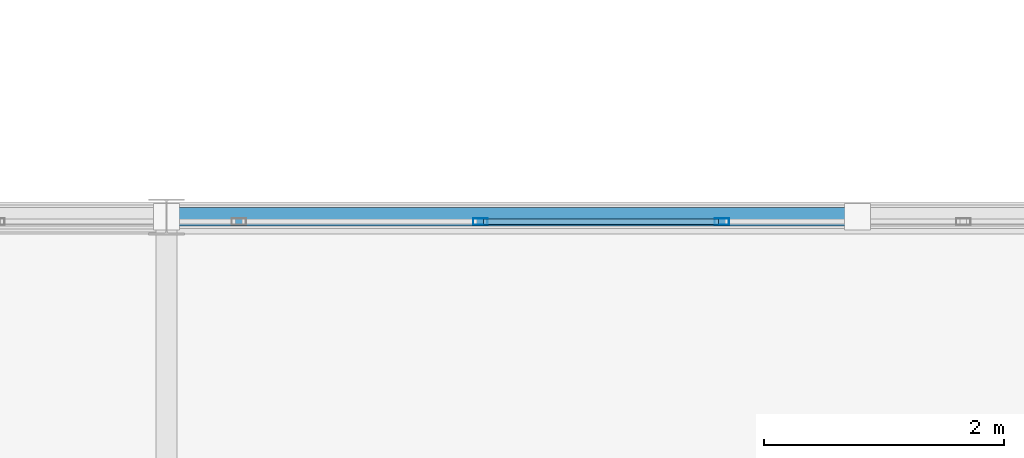
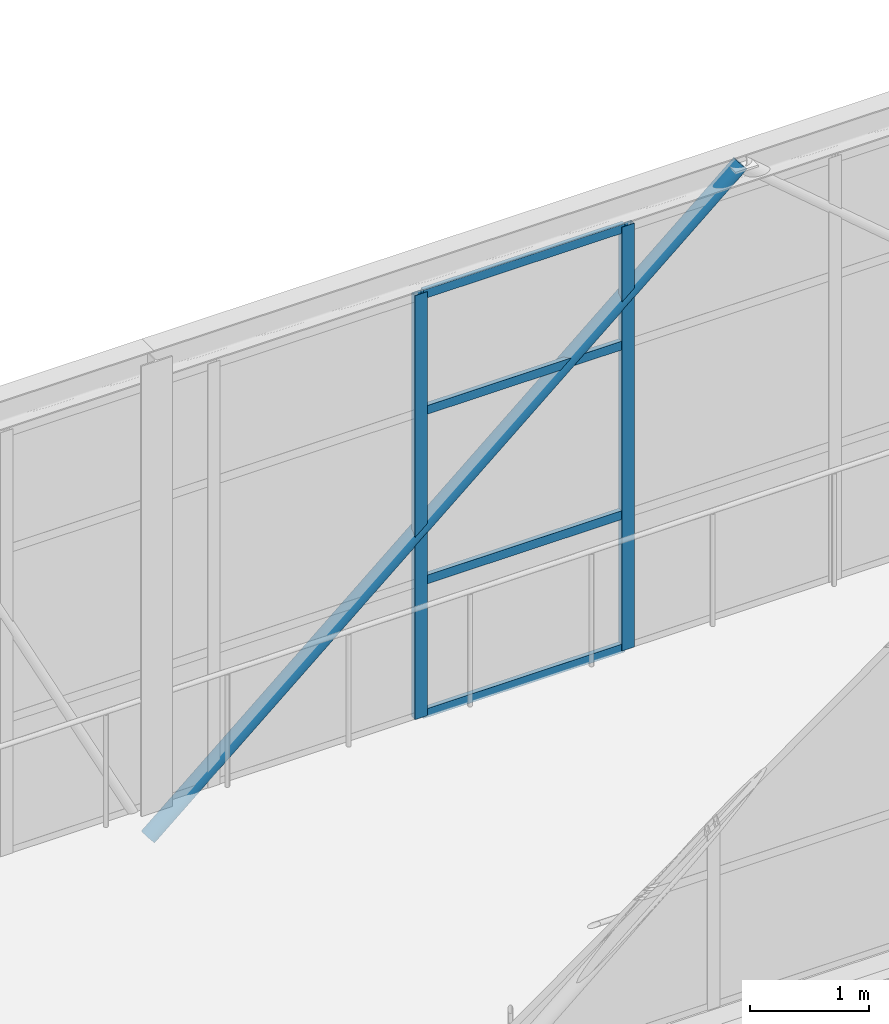
# One storey, part 103 of 248: 7 members, 1 element without a shape of its own.
"""IFC4 building model written with IfcOpenShell, lengths in metres."""

from ifc_helpers import new_model, si_unit, direction, frame, origin, origin_2d, place, context, subcontext, project, spatial, hollow_rectangle, hollow_circle, extrude, material, layer, layer_set, material_profile, profile_set, type_object, element, aggregate, save


model = new_model("IFC4")

# Units and contexts
model_context = context("Model", 3, precision=1e-05, world=origin(), true_north=direction((0.0, 1.0)))
body_context = subcontext(model_context, "Body", "Model", "MODEL_VIEW")
ifc_project = project(units=[si_unit("LENGTHUNIT", "METRE"), si_unit("AREAUNIT", "SQUARE_METRE"), si_unit("VOLUMEUNIT", "CUBIC_METRE"), si_unit("PLANEANGLEUNIT", "RADIAN"), si_unit("MASSUNIT", "GRAM", prefix="KILO")], contexts=[model_context])

# Site, building, storey
site_placement = place(None, origin())
site = spatial("IfcSite", under=ifc_project, at=site_placement, CompositionType="ELEMENT")
building_placement = place(site_placement, origin())
building = spatial("IfcBuilding", under=site, at=building_placement, Name="Canggui Botanical Conservatory", CompositionType="ELEMENT")
storey_placement = place(building_placement, frame((0.0, 0.0, 5.39990234375)))
storey = spatial("IfcBuildingStorey", under=building, at=storey_placement, Name="L02", CompositionType="ELEMENT", Elevation=5.39990234375)

# Curtain wall, members
ifc_material_1 = material(Name="Thermally Broken Aluminium", Category="aluminium")
ifc_layer = layer(ifc_material_1, 0.1201171875, Name="Thermally Broken Aluminium", Category="aluminium")
ifc_layer_set = layer_set([ifc_layer], Name="Thermally Broken Aluminium")
curtain_wall_type = type_object("IfcCurtainWallType", Name="CW-STICK-B", PredefinedType="USERDEFINED", material=ifc_layer_set)
curtain_wall_placement = place(storey_placement, origin())
curtain_wall = element("IfcCurtainWall", 1, at=curtain_wall_placement, inside=storey, type_object=curtain_wall_type, Name="Facade Curtain Wall CW-SB-01-2", ObjectType="STICK GLAZED WALL", PredefinedType="USERDEFINED")
ifc_material_profile_1 = material_profile(ifc_material_1, hollow_rectangle(XDim=0.054931640625, YDim=0.1201171875, WallThickness=0.0029296875, at=origin_2d()), Name="CWM 55x120x3")
ifc_profile_set_1 = profile_set([ifc_material_profile_1], Name="Thermally Broken Aluminium")
member_type_1 = type_object("IfcMemberType", Name="CWM-05", PredefinedType="MULLION", material=ifc_profile_set_1)
member_1_placement = place(storey_placement, frame((121.111328125, 30.9599609375, 0.0), z_axis=(0.0, 0.0, 1.0), x_axis=(0.0, 1.0, 0.0)))
member_1 = element("IfcMember", 2, at=member_1_placement, type_object=member_type_1, Name="CW-05 mullion 28", PredefinedType="MULLION", context=body_context, shape_type="SweptSolid", body=[
    extrude(hollow_rectangle(XDim=0.054931640625, YDim=0.1201171875, WallThickness=0.0029296875, at=origin_2d()), origin(), (0.0, 0.0, 1.0), 4.35009765625),
])
member_2_placement = place(storey_placement, frame((123.120849609375, 30.9599609375, 0.0), z_axis=(0.0, 0.0, 1.0), x_axis=(0.0, 1.0, 0.0)))
member_2 = element("IfcMember", 3, at=member_2_placement, type_object=member_type_1, Name="CW-05 mullion 29", PredefinedType="MULLION", context=body_context, shape_type="SweptSolid", body=[
    extrude(hollow_rectangle(XDim=0.054931640625, YDim=0.1201171875, WallThickness=0.0029296875, at=origin_2d()), origin(), (0.0, 0.0, 1.0), 4.35009765625),
])
ifc_material_profile_2 = material_profile(ifc_material_1, hollow_rectangle(XDim=0.044921875, YDim=0.090087890625, WallThickness=0.0029296875, at=origin_2d()), Name="CWT 45x90x3")
ifc_profile_set_2 = profile_set([ifc_material_profile_2], Name="Thermally Broken Aluminium")
member_type_2 = type_object("IfcMemberType", Name="CWT-05", PredefinedType="USERDEFINED", material=ifc_profile_set_2)
member_3_placement = place(storey_placement, frame((121.138671875, 30.9599609375, 0.022705078125), z_axis=(1.0, 0.0, 0.0), x_axis=(0.0, 1.0, 0.0)))
member_3 = element("IfcMember", 4, at=member_3_placement, type_object=member_type_2, Name="CW-05 transom 28.1", ObjectType="TRANSOM", PredefinedType="USERDEFINED", context=body_context, shape_type="SweptSolid", body=[
    extrude(hollow_rectangle(XDim=0.044921875, YDim=0.090087890625, WallThickness=0.0029296875, at=origin_2d()), origin(), (0.0, 0.0, 1.0), 1.954833984375),
])
member_4_placement = place(storey_placement, frame((121.138671875, 30.9599609375, 1.39208984375), z_axis=(1.0, 0.0, 0.0), x_axis=(0.0, 1.0, 0.0)))
member_4 = element("IfcMember", 5, at=member_4_placement, type_object=member_type_2, Name="CW-05 transom 28.2", ObjectType="TRANSOM", PredefinedType="USERDEFINED", context=body_context, shape_type="SweptSolid", body=[
    extrude(hollow_rectangle(XDim=0.044921875, YDim=0.090087890625, WallThickness=0.0029296875, at=origin_2d()), origin(), (0.0, 0.0, 1.0), 1.954833984375),
])
member_5_placement = place(storey_placement, frame((121.138671875, 30.9599609375, 3.132080078125), z_axis=(1.0, 0.0, 0.0), x_axis=(0.0, 1.0, 0.0)))
member_5 = element("IfcMember", 6, at=member_5_placement, type_object=member_type_2, Name="CW-05 transom 28.3", ObjectType="TRANSOM", PredefinedType="USERDEFINED", context=body_context, shape_type="SweptSolid", body=[
    extrude(hollow_rectangle(XDim=0.044921875, YDim=0.090087890625, WallThickness=0.0029296875, at=origin_2d()), origin(), (0.0, 0.0, 1.0), 1.954833984375),
])
member_6_placement = place(storey_placement, frame((121.138671875, 30.9599609375, 4.32763671875), z_axis=(1.0, 0.0, 0.0), x_axis=(0.0, 1.0, 0.0)))
member_6 = element("IfcMember", 7, at=member_6_placement, type_object=member_type_2, Name="CW-05 transom 28.4", ObjectType="TRANSOM", PredefinedType="USERDEFINED", context=body_context, shape_type="SweptSolid", body=[
    extrude(hollow_rectangle(XDim=0.044921875, YDim=0.090087890625, WallThickness=0.0029296875, at=origin_2d()), origin(), (0.0, 0.0, 1.0), 1.954833984375),
])
aggregate(curtain_wall, [member_1, member_2, member_3, member_4, member_5, member_6])

# Member
ifc_material_2 = material(Name="Steel Q355C", Category="steel")
ifc_material_profile_3 = material_profile(ifc_material_2, hollow_circle(Radius=0.075927734375, WallThickness=0.006103515625, at=origin_2d()), Name="CHS 152x6")
ifc_profile_set_3 = profile_set([ifc_material_profile_3], Name="Steel Q355C")
member_type_3 = type_object("IfcMemberType", Name="MEM-GSD04", PredefinedType="RAFTER", material=ifc_profile_set_3)
member_7_placement = place(storey_placement, frame((118.5, 31.0, -0.349853515625), z_axis=(0.761128593641, 0.0, 0.648601005196), x_axis=(0.0, 1.0, 0.0)))
element("IfcMember", 8, at=member_7_placement, inside=storey, type_object=member_type_3, Name="SB-01 Truss Web Rafter 2.8A", PredefinedType="RAFTER", context=body_context, shape_type="SweptSolid", body=[
    extrude(hollow_circle(Radius=0.075927734375, WallThickness=0.006103515625, at=origin_2d()), origin(), (0.0, 0.0, 1.0), 7.5546875),
])

save(model, "model.ifc")
